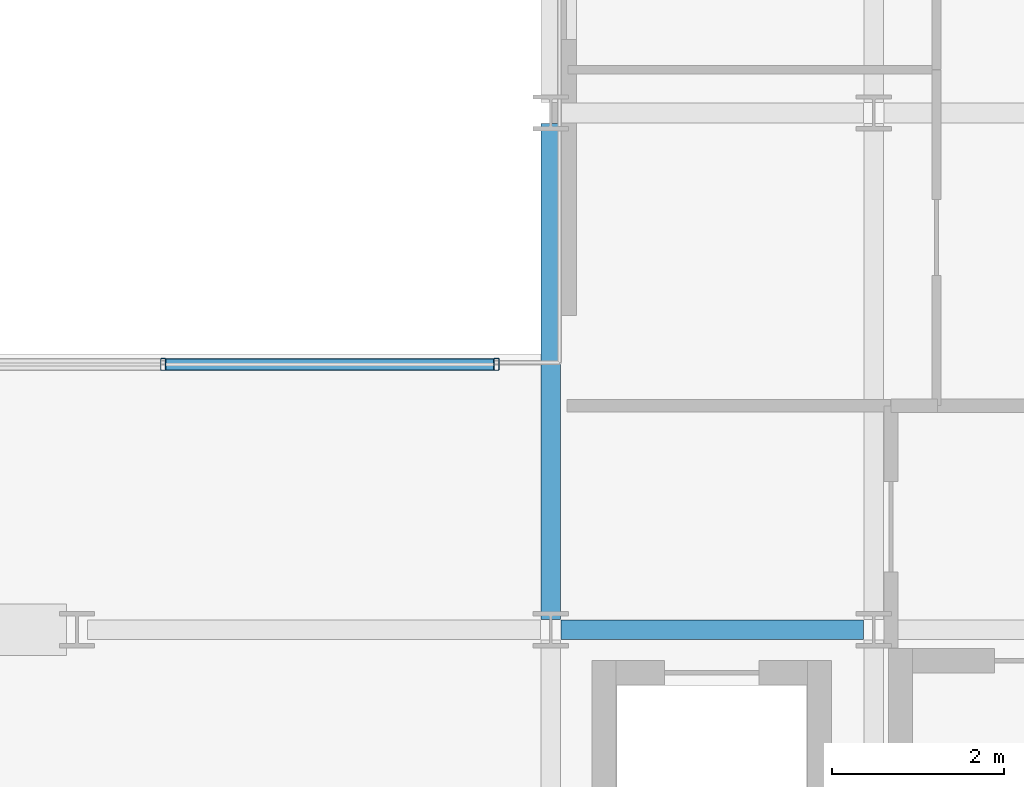
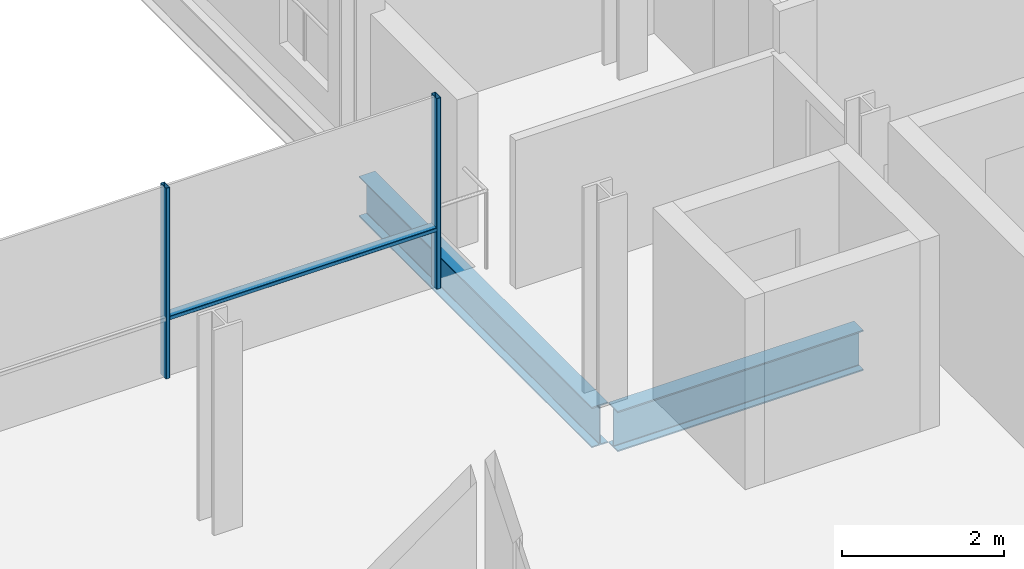
# One storey, part 13 of 41: 3 members, 2 beams, 1 element without a shape of its own.
"""IFC4 building model written with IfcOpenShell, lengths in metres."""

from ifc_helpers import new_model, si_unit, direction, frame, origin, origin_2d, place, context, subcontext, project, spatial, hollow_rectangle, i_section, extrude, material, layer, layer_set, material_profile, profile_set, type_object, element, aggregate, save


model = new_model("IFC4")

# Units and contexts
model_context = context("Model", 3, precision=1e-05, world=origin(), true_north=direction((0.0, 1.0)))
body_context = subcontext(model_context, "Body", "Model", "MODEL_VIEW")
ifc_project = project(units=[si_unit("LENGTHUNIT", "METRE"), si_unit("AREAUNIT", "SQUARE_METRE"), si_unit("VOLUMEUNIT", "CUBIC_METRE"), si_unit("PLANEANGLEUNIT", "RADIAN"), si_unit("MASSUNIT", "GRAM", prefix="KILO")], contexts=[model_context])

# Site, building, storey
site_placement = place(None, origin())
site = spatial("IfcSite", under=ifc_project, at=site_placement, CompositionType="ELEMENT")
building_placement = place(site_placement, origin())
building = spatial("IfcBuilding", under=site, at=building_placement, Name="Brevholm Reach", CompositionType="ELEMENT")
storey_placement = place(building_placement, frame((0.0, 0.0, 112.800048828125)))
storey = spatial("IfcBuildingStorey", under=building, at=storey_placement, Name="L33", CompositionType="ELEMENT", Elevation=112.800048828125)

# Beams
ifc_material_1 = material(Name="Structural Steel S355J2", Category="steel")
ifc_material_profile_1 = material_profile(ifc_material_1, i_section(OverallWidth=0.22900390625, OverallDepth=0.6123046875, WebThickness=0.011962890625, FlangeThickness=0.01953125, FilletRadius=0.0126953125, at=origin_2d()), Name="UKB 610x229x125")
ifc_profile_set_1 = profile_set([ifc_material_profile_1], Name="Structural Steel S355J2")
beam_type = type_object("IfcBeamType", Name="BM-SP610", PredefinedType="SPANDREL", material=ifc_profile_set_1)
beam_1_placement = place(storey_placement, frame((38.3701171875, 10.0, -0.526123046875), z_axis=(1.0, 0.0, 0.0), x_axis=(0.0, 1.0, 0.0)))
element("IfcBeam", 1, at=beam_1_placement, inside=storey, type_object=beam_type, Name="L33 SP-01 Framing Beam", PredefinedType="SPANDREL", context=body_context, shape_type="SweptSolid", body=[
    extrude(i_section(OverallWidth=0.22900390625, OverallDepth=0.6123046875, WebThickness=0.011962890625, FlangeThickness=0.01953125, FilletRadius=0.0126953125, at=origin_2d()), origin(), (0.0, 0.0, 1.0), 3.509765625),
])
beam_2_placement = place(storey_placement, frame((38.25, 10.1201171875, -0.526123046875), z_axis=(0.0, 1.0, 0.0), x_axis=(-1.0, 0.0, 0.0)))
element("IfcBeam", 2, at=beam_2_placement, inside=storey, type_object=beam_type, Name="L33 SP-01 Framing Beam", PredefinedType="SPANDREL", context=body_context, shape_type="SweptSolid", body=[
    extrude(i_section(OverallWidth=0.22900390625, OverallDepth=0.6123046875, WebThickness=0.011962890625, FlangeThickness=0.01953125, FilletRadius=0.0126953125, at=origin_2d()), origin(), (0.0, 0.0, 1.0), 5.759765625),
])

# Curtain wall, members
ifc_material_2 = material(Name="Dark Anodised Aluminium 6063-T6 and Solar-Control Glass", Category="aluminium")
ifc_layer = layer(ifc_material_2, 0.139892578125)
ifc_layer_set = layer_set([ifc_layer], Name="Dark Anodised Aluminium 6063-T6 and Solar-Control Glass")
curtain_wall_type = type_object("IfcCurtainWallType", Name="CW-02", PredefinedType="NOTDEFINED", material=ifc_layer_set)
curtain_wall_placement = place(storey_placement, origin())
curtain_wall = element("IfcCurtainWall", 3, at=curtain_wall_placement, inside=storey, type_object=curtain_wall_type, Name="L33 Curtain Wall CW-02", PredefinedType="NOTDEFINED")
ifc_material_3 = material(Name="Dark Anodised Aluminium 6063-T6", Category="aluminium")
ifc_material_profile_2 = material_profile(ifc_material_3, hollow_rectangle(XDim=0.06005859375, YDim=0.139892578125, WallThickness=0.0048828125, InnerFilletRadius=0.0048828125, OuterFilletRadius=0.010009765625, at=origin_2d()), Name="RHS 140x60x5")
ifc_profile_set_2 = profile_set([ifc_material_profile_2], Name="Dark Anodised Aluminium 6063-T6")
member_type_1 = type_object("IfcMemberType", Name="CWM-140", PredefinedType="MULLION", material=ifc_profile_set_2)
member_1_placement = place(storey_placement, frame((33.75, 13.080078125, 0.0), z_axis=(0.0, 0.0, 1.0), x_axis=(1.0, 0.0, 0.0)))
member_1 = element("IfcMember", 4, at=member_1_placement, type_object=member_type_1, Name="CM-140 Mullion 4", PredefinedType="MULLION", context=body_context, shape_type="SweptSolid", body=[
    extrude(hollow_rectangle(XDim=0.06005859375, YDim=0.139892578125, WallThickness=0.0048828125, InnerFilletRadius=0.0048828125, OuterFilletRadius=0.010009765625, at=origin_2d()), origin(), (0.0, 0.0, 1.0), 2.8798828125),
])
member_2_placement = place(storey_placement, frame((37.6201171875, 13.080078125, 0.0), z_axis=(0.0, 0.0, 1.0), x_axis=(1.0, 0.0, 0.0)))
member_2 = element("IfcMember", 5, at=member_2_placement, type_object=member_type_1, Name="CM-140 Mullion 5", PredefinedType="MULLION", context=body_context, shape_type="SweptSolid", body=[
    extrude(hollow_rectangle(XDim=0.06005859375, YDim=0.139892578125, WallThickness=0.0048828125, InnerFilletRadius=0.0048828125, OuterFilletRadius=0.010009765625, at=origin_2d()), origin(), (0.0, 0.0, 1.0), 2.8798828125),
])
ifc_material_4 = material(Name="Dark Anodised Aluminium 6063-T6", Category="aluminium")
ifc_material_profile_3 = material_profile(ifc_material_4, hollow_rectangle(XDim=0.06005859375, YDim=0.139892578125, WallThickness=0.0048828125, InnerFilletRadius=0.0048828125, OuterFilletRadius=0.010009765625, at=origin_2d()), Name="RHS 140x60x5")
ifc_profile_set_3 = profile_set([ifc_material_profile_3], Name="Dark Anodised Aluminium 6063-T6")
member_type_2 = type_object("IfcMemberType", Name="CWT-140", PredefinedType="NOTDEFINED", material=ifc_profile_set_3)
member_3_placement = place(storey_placement, frame((33.780029296875, 13.080078125, 0.89990234375), z_axis=(1.0, 0.0, 0.0), x_axis=(0.0, 0.0, 1.0)))
member_3 = element("IfcMember", 6, at=member_3_placement, type_object=member_type_2, Name="CT-140 Transom 4.1", ObjectType="TRANSOM", PredefinedType="USERDEFINED", context=body_context, shape_type="SweptSolid", body=[
    extrude(hollow_rectangle(XDim=0.06005859375, YDim=0.139892578125, WallThickness=0.0048828125, InnerFilletRadius=0.0048828125, OuterFilletRadius=0.010009765625, at=origin_2d()), origin(), (0.0, 0.0, 1.0), 3.81005859375),
])
aggregate(curtain_wall, [member_1, member_2, member_3])

save(model, "model.ifc")
